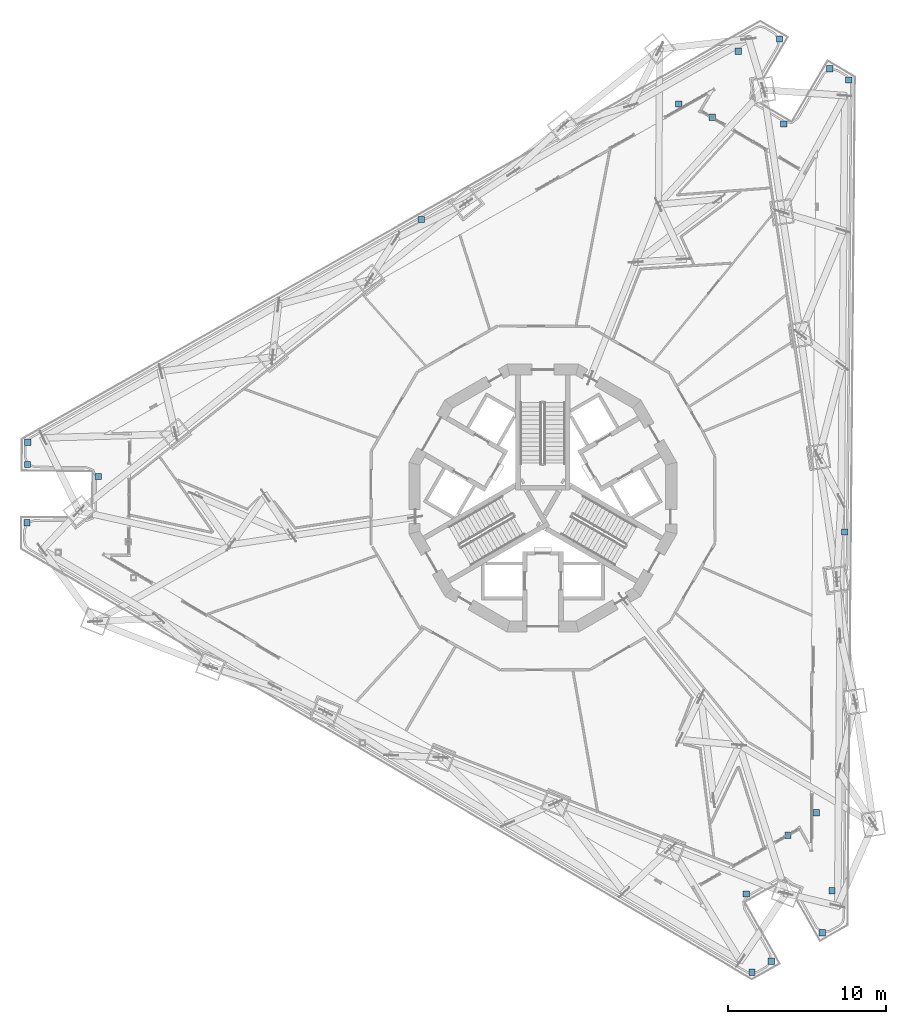
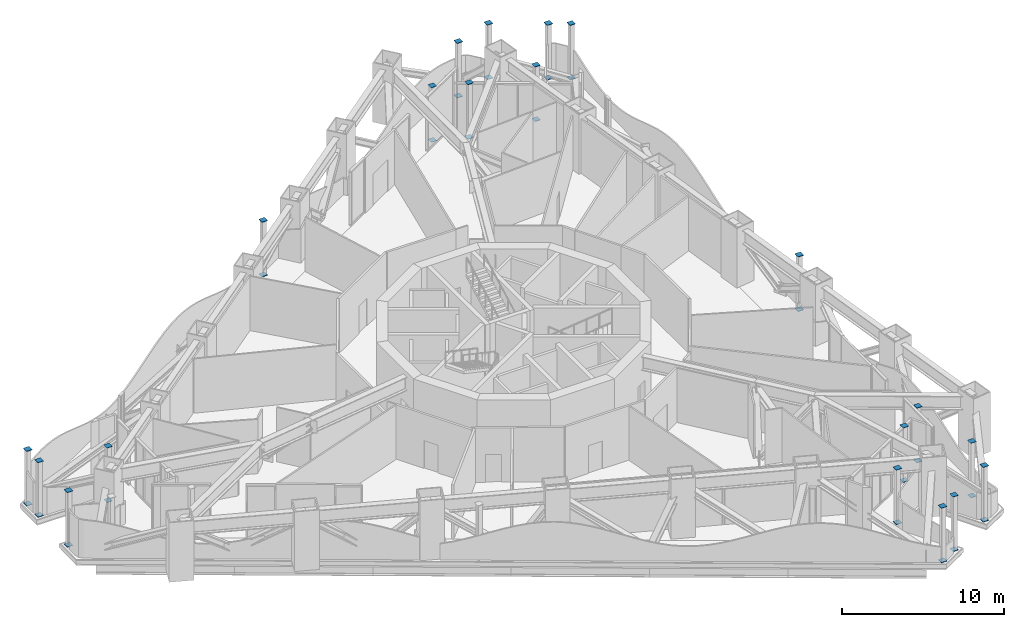
# One storey, part 18 of 27: 40 discrete accessories.
"""IFC4 building model written with IfcOpenShell, lengths in metres."""

from ifc_helpers import new_model, si_unit, direction, frame, origin, origin_2d, place, context, subcontext, project, spatial, rectangle, extrude, material, element, save


model = new_model("IFC4")

# Units and contexts
model_context = context("Model", 3, precision=1e-05, world=origin(), true_north=direction((0.0, 1.0)))
body_context = subcontext(model_context, "Body", "Model", "MODEL_VIEW")
ifc_project = project(units=[si_unit("LENGTHUNIT", "METRE"), si_unit("AREAUNIT", "SQUARE_METRE"), si_unit("VOLUMEUNIT", "CUBIC_METRE"), si_unit("PLANEANGLEUNIT", "RADIAN"), si_unit("MASSUNIT", "GRAM", prefix="KILO")], contexts=[model_context])

# Site, building, storey
site_placement = place(None, origin())
site = spatial("IfcSite", under=ifc_project, at=site_placement, CompositionType="ELEMENT")
building_placement = place(site_placement, origin())
building = spatial("IfcBuilding", under=site, at=building_placement, Name="Trine Commons Tower", CompositionType="ELEMENT")
storey_placement = place(building_placement, frame((0.0, 0.0, 193.5)))
storey = spatial("IfcBuildingStorey", under=building, at=storey_placement, Name="L50", CompositionType="ELEMENT", Elevation=193.5)

# Discrete accessories
ifc_material = material(Name="Structural steel ASTM A572 Gr50", Category="steel")
for number, where, z_axis, x_axis, name in (
    (1, (47.260009765625, 60.935546875, 0.0), (0.0, 0.0, 1.0), (1.0, 0.0, 0.0), "Post base plate SP5-11"),
    (2, (47.260009765625, 60.935546875, 4.1201171875), (0.0, 0.0, 1.0), (1.0, 0.0, 0.0), "Post cap plate SP5-11"),
    (3, (72.281005859375, 80.178466796875, 0.0), (0.0, 0.0, 1.0), (1.0, 0.0, 0.0), "Post base plate SP5-21"),
    (4, (72.281005859375, 80.178466796875, 4.1201171875), (0.0, 0.0, 1.0), (1.0, 0.0, 0.0), "Post cap plate SP5-21"),
    (5, (47.292236328125, 64.635498046875, 0.0), (0.0, 0.0, 1.0), (1.0, 0.0, 0.0), "Post base plate SP5-22"),
    (6, (47.292236328125, 64.635498046875, 4.1201171875), (0.0, 0.0, 1.0), (1.0, 0.0, 0.0), "Post cap plate SP5-22"),
    (7, (51.785888671875, 63.875732421875, 0.0), (0.0, 0.0, 1.0), (1.0, 0.0, 0.0), "Post base plate SP5-23"),
    (8, (51.785888671875, 63.875732421875, 4.1201171875), (0.0, 0.0, 1.0), (1.0, 0.0, 0.0), "Post cap plate SP5-23"),
    (9, (47.3046875, 66.047607421875, 0.0), (0.0, 0.0, 1.0), (1.0, 0.0, 0.0), "Post base plate SP5-24"),
    (10, (47.3046875, 66.047607421875, 4.1201171875), (0.0, 0.0, 1.0), (1.0, 0.0, 0.0), "Post cap plate SP5-24"),
    (11, (94.50439453125, 33.106689453125, 0.0), (0.0, 0.0, 1.0), (1.0, 0.0, 0.0), "Post base plate SP5-32"),
    (12, (94.50439453125, 33.106689453125, 4.1201171875), (0.0, 0.0, 1.0), (1.0, 0.0, 0.0), "Post cap plate SP5-32"),
    (13, (92.91552734375, 37.3779296875, 0.0), (0.0, 0.0, 1.0), (1.0, 0.0, 0.0), "Post base plate SP5-33"),
    (14, (92.91552734375, 37.3779296875, 4.1201171875), (0.0, 0.0, 1.0), (1.0, 0.0, 0.0), "Post cap plate SP5-33"),
    (15, (93.275390625, 32.411376953125, 0.0), (0.0, 0.0, 1.0), (1.0, 0.0, 0.0), "Post base plate SP5-34"),
    (16, (93.275390625, 32.411376953125, 4.1201171875), (0.0, 0.0, 1.0), (1.0, 0.0, 0.0), "Post cap plate SP5-34"),
    (17, (95.01513671875, 91.6357421875, 0.0), (0.0, 0.0, 1.0), (1.0, 0.0, 0.0), "Post base plate SP5-41"),
    (18, (95.01513671875, 91.6357421875, 4.1201171875), (0.0, 0.0, 1.0), (1.0, 0.0, 0.0), "Post cap plate SP5-41"),
    (19, (88.616943359375, 87.51318359375, 0.0), (0.0, 0.0, 1.0), (1.0, 0.0, 0.0), "Post base plate SP5-42"),
    (20, (88.616943359375, 87.51318359375, 4.1201171875), (0.0, 0.0, 1.0), (1.0, 0.0, 0.0), "Post cap plate SP5-42"),
    (21, (90.7568359375, 86.67041015625, 0.0), (0.0, 0.0, 1.0), (1.0, 0.0, 0.0), "Post base plate SP5-43"),
    (22, (90.7568359375, 86.67041015625, 4.1201171875), (0.0, 0.0, 1.0), (1.0, 0.0, 0.0), "Post cap plate SP5-43"),
    (23, (92.40625, 90.857177734375, 0.0), (0.0, 0.0, 1.0), (1.0, 0.0, 0.0), "Post base plate SP5-44"),
    (24, (92.40625, 90.857177734375, 4.1201171875), (0.0, 0.0, 1.0), (1.0, 0.0, 0.0), "Post cap plate SP5-44"),
    (25, (97.724853515625, 34.928466796875, 0.0), (0.0, 0.0, 1.0), (1.0, 0.0, 0.0), "Post base plate SP5-51"),
    (26, (97.724853515625, 34.928466796875, 4.1201171875), (0.0, 0.0, 1.0), (1.0, 0.0, 0.0), "Post cap plate SP5-51"),
    (27, (97.353515625, 42.53076171875, 0.0), (0.0, 0.0, 1.0), (1.0, 0.0, 0.0), "Post base plate SP5-52"),
    (28, (97.353515625, 42.53076171875, 4.1201171875), (0.0, 0.0, 1.0), (1.0, 0.0, 0.0), "Post cap plate SP5-52"),
    (29, (95.5537109375, 41.09912109375, 0.0), (0.0, 0.0, 1.0), (1.0, 0.0, 0.0), "Post base plate SP5-53"),
    (30, (95.5537109375, 41.09912109375, 4.1201171875), (0.0, 0.0, 1.0), (1.0, 0.0, 0.0), "Post cap plate SP5-53"),
    (31, (98.35498046875, 37.577392578125, 0.0), (0.0, 0.0, 1.0), (1.0, 0.0, 0.0), "Post base plate SP5-54"),
    (32, (98.35498046875, 37.577392578125, 4.1201171875), (0.0, 0.0, 1.0), (1.0, 0.0, 0.0), "Post cap plate SP5-54"),
    (33, (99.16943359375, 60.345703125, 0.0), (0.0, 0.0, 1.0), (1.0, 0.0, 0.0), "Post base plate SP5-61"),
    (34, (99.16943359375, 60.345703125, 4.1201171875), (0.0, 0.0, 1.0), (1.0, 0.0, 0.0), "Post cap plate SP5-61"),
    (35, (98.203125, 89.7578125, 0.0), (0.0, 0.0, 1.0), (1.0, 0.0, 0.0), "Post base plate SP5-62"),
    (36, (98.203125, 89.7578125, 4.1201171875), (0.0, 0.0, 1.0), (1.0, 0.0, 0.0), "Post cap plate SP5-62"),
    (37, (95.298583984375, 86.24609375, 0.0), (0.0, 0.0, 1.0), (1.0, 0.0, 0.0), "Post base plate SP5-63"),
    (38, (95.298583984375, 86.24609375, 4.1201171875), (0.0, 0.0, 1.0), (1.0, 0.0, 0.0), "Post cap plate SP5-63"),
    (39, (99.419921875, 89.041259765625, 0.0), (0.0, 0.0, 1.0), (1.0, 0.0, 0.0), "Post base plate SP5-64"),
    (40, (99.419921875, 89.041259765625, 4.1201171875), (0.0, 0.0, 1.0), (1.0, 0.0, 0.0), "Post cap plate SP5-64"),
):
    element("IfcDiscreteAccessory", number, at=place(storey_placement, frame(where, z_axis=z_axis, x_axis=x_axis)), inside=storey, material=ifc_material, Name=name, PredefinedType="BRACKET", context=body_context, shape_type="SweptSolid", body=[
        extrude(rectangle(XDim=0.39990234375, YDim=0.39990234375, at=origin_2d()), origin(), (0.0, 0.0, 1.0), 0.030029296875),
    ])

save(model, "model.ifc")
